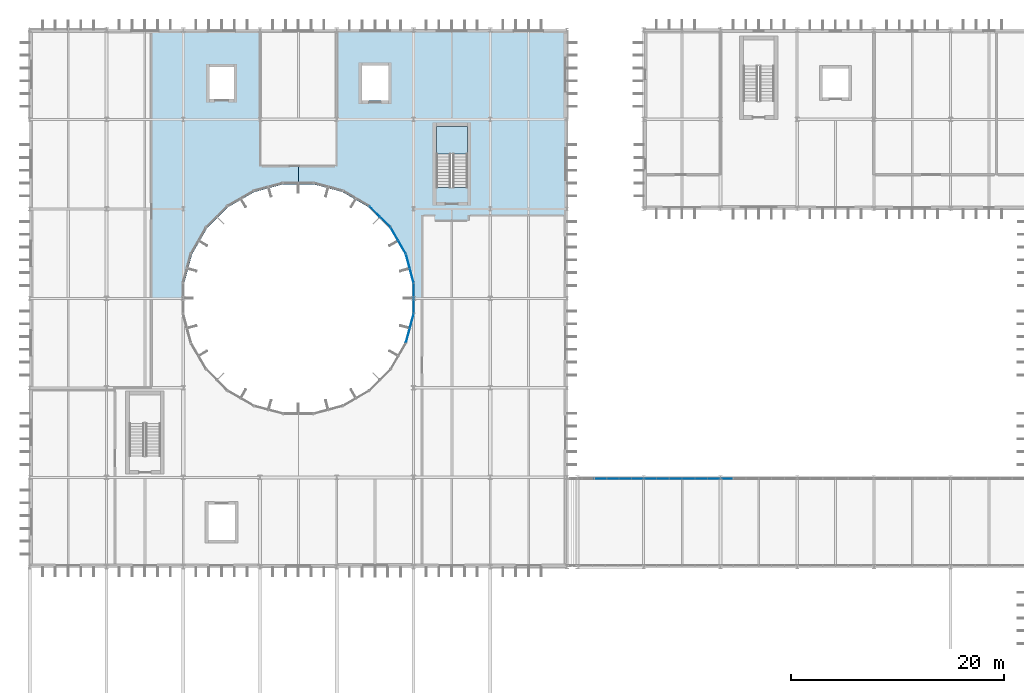
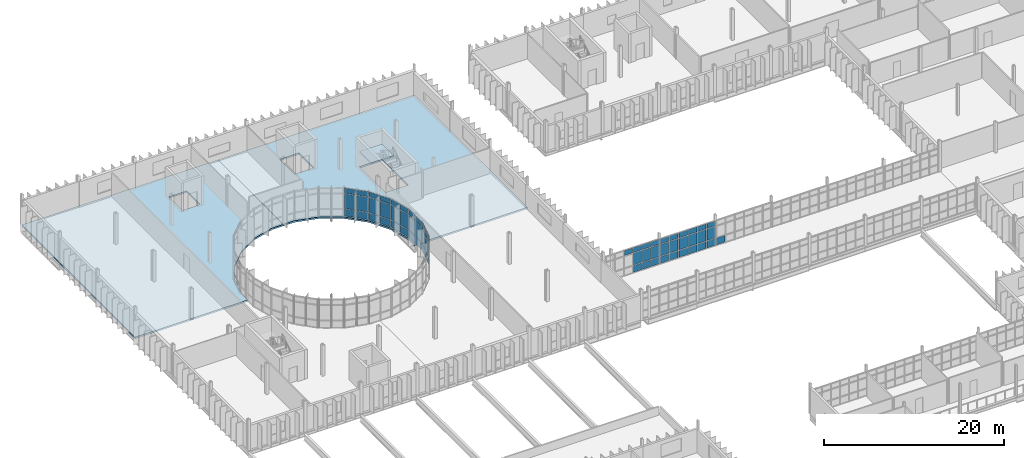
# One storey, part 75 of 119: 59 plates, 3 slabs, 9 elements without a shape of their own.
"""IFC4 building model written with IfcOpenShell, lengths in metres."""

from ifc_helpers import new_model, si_unit, direction, frame, origin, origin_2d, place, context, subcontext, project, spatial, polyline, rectangle, outline, extrude, material, layer, layer_set, type_object, element, aggregate, save


model = new_model("IFC4")

# Units and contexts
model_context = context("Model", 3, precision=1e-05, world=origin(), true_north=direction((0.0, 1.0)))
body_context = subcontext(model_context, "Body", "Model", "MODEL_VIEW")
ifc_project = project(units=[si_unit("LENGTHUNIT", "METRE"), si_unit("AREAUNIT", "SQUARE_METRE"), si_unit("VOLUMEUNIT", "CUBIC_METRE"), si_unit("PLANEANGLEUNIT", "RADIAN"), si_unit("MASSUNIT", "GRAM", prefix="KILO")], contexts=[model_context])

# Site, building, storey
site_placement = place(None, origin())
site = spatial("IfcSite", under=ifc_project, at=site_placement, CompositionType="ELEMENT")
building_placement = place(site_placement, origin())
building = spatial("IfcBuilding", under=site, at=building_placement, Name="Qelthora Terrace Specialist Clinic", CompositionType="ELEMENT")
storey_placement = place(building_placement, frame((0.0, 0.0, 4.800048828125)))
storey = spatial("IfcBuildingStorey", under=building, at=storey_placement, Name="L01", CompositionType="ELEMENT", Elevation=4.800048828125)

# Curtain wall, plates
ifc_material_1 = material(Name="Aluminium anodized bronze", Category="aluminium")
curtain_wall_type_1 = type_object("IfcCurtainWallType", Name="CW-CRTW-UPP", PredefinedType="NOTDEFINED", material=ifc_material_1)
curtain_wall_1_placement = place(storey_placement, origin())
curtain_wall_1 = element("IfcCurtainWall", 1, at=curtain_wall_1_placement, inside=storey, type_object=curtain_wall_type_1, Name="Curtain wall CW-CW-L01-01", PredefinedType="NOTDEFINED")
ifc_material_2 = material(Name="Low-E triple-silver insulating glass", Category="glass")
ifc_layer_1 = layer(ifc_material_2, 0.035888671875)
ifc_layer_set_1 = layer_set([ifc_layer_1], Name="Low-E triple-silver insulating glass")
plate_type = type_object("IfcPlateType", Name="CWP-IGU-36", PredefinedType="CURTAIN_PANEL", material=ifc_layer_set_1)
plate_1_placement = place(storey_placement, frame((35.841064453125, 86.12158203125, 0.0849609375), z_axis=(0.0, 0.0, 1.0), x_axis=(-0.258820730961, 0.965925374563, 0.0)))
plate_1 = element("IfcPlate", 2, at=plate_1_placement, type_object=plate_type, Name="CW-CW-L01-01 glazed panel 1", PredefinedType="CURTAIN_PANEL", context=body_context, shape_type="SweptSolid", body=[
    extrude(rectangle(XDim=1.3095703125, YDim=0.035888671875, at=origin_2d()), origin(), (0.0, 0.0, 1.0), 0.919921875),
])
plate_2_placement = place(storey_placement, frame((35.841064453125, 86.12158203125, 1.094970703125), z_axis=(0.0, 0.0, 1.0), x_axis=(-0.258820730961, 0.965925374563, 0.0)))
plate_2 = element("IfcPlate", 3, at=plate_2_placement, type_object=plate_type, Name="CW-CW-L01-01 glazed panel 2", PredefinedType="CURTAIN_PANEL", context=body_context, shape_type="SweptSolid", body=[
    extrude(rectangle(XDim=1.3095703125, YDim=0.035888671875, at=origin_2d()), origin(), (0.0, 0.0, 1.0), 2.0048828125),
])
plate_3_placement = place(storey_placement, frame((35.841064453125, 86.12158203125, 3.18994140625), z_axis=(0.0, 0.0, 1.0), x_axis=(-0.258820730961, 0.965925374563, 0.0)))
plate_3 = element("IfcPlate", 4, at=plate_3_placement, type_object=plate_type, Name="CW-CW-L01-01 glazed panel 3", PredefinedType="CURTAIN_PANEL", context=body_context, shape_type="SweptSolid", body=[
    extrude(rectangle(XDim=1.3095703125, YDim=0.035888671875, at=origin_2d()), origin(), (0.0, 0.0, 1.0), 0.669921875),
])
plate_4_placement = place(storey_placement, frame((35.476318359375, 87.483154296875, 0.0849609375), z_axis=(0.0, 0.0, 1.0), x_axis=(-0.258820730961, 0.965925374563, 0.0)))
plate_4 = element("IfcPlate", 5, at=plate_4_placement, type_object=plate_type, Name="CW-CW-L01-01 glazed panel 4", PredefinedType="CURTAIN_PANEL", context=body_context, shape_type="SweptSolid", body=[
    extrude(rectangle(XDim=1.3095703125, YDim=0.035888671875, at=origin_2d()), origin(), (0.0, 0.0, 1.0), 0.919921875),
])
plate_5_placement = place(storey_placement, frame((35.476318359375, 87.483154296875, 1.094970703125), z_axis=(0.0, 0.0, 1.0), x_axis=(-0.258820730961, 0.965925374563, 0.0)))
plate_5 = element("IfcPlate", 6, at=plate_5_placement, type_object=plate_type, Name="CW-CW-L01-01 glazed panel 5", PredefinedType="CURTAIN_PANEL", context=body_context, shape_type="SweptSolid", body=[
    extrude(rectangle(XDim=1.3095703125, YDim=0.035888671875, at=origin_2d()), origin(), (0.0, 0.0, 1.0), 2.0048828125),
])
plate_6_placement = place(storey_placement, frame((35.476318359375, 87.483154296875, 3.18994140625), z_axis=(0.0, 0.0, 1.0), x_axis=(-0.258820730961, 0.965925374563, 0.0)))
plate_6 = element("IfcPlate", 7, at=plate_6_placement, type_object=plate_type, Name="CW-CW-L01-01 glazed panel 6", PredefinedType="CURTAIN_PANEL", context=body_context, shape_type="SweptSolid", body=[
    extrude(rectangle(XDim=1.3095703125, YDim=0.035888671875, at=origin_2d()), origin(), (0.0, 0.0, 1.0), 0.669921875),
])
aggregate(curtain_wall_1, [plate_1, plate_2, plate_3, plate_4, plate_5, plate_6])

curtain_wall_2_placement = place(storey_placement, origin())
curtain_wall_2 = element("IfcCurtainWall", 8, at=curtain_wall_2_placement, inside=storey, type_object=curtain_wall_type_1, Name="Curtain wall CW-CW-L01-02", PredefinedType="NOTDEFINED")
plate_7_placement = place(storey_placement, frame((34.929443359375, 88.803466796875, 0.0849609375), z_axis=(0.0, 0.0, 1.0), x_axis=(-0.5, 0.866025403784, 0.0)))
plate_7 = element("IfcPlate", 9, at=plate_7_placement, type_object=plate_type, Name="CW-CW-L01-02 glazed panel 1", PredefinedType="CURTAIN_PANEL", context=body_context, shape_type="SweptSolid", body=[
    extrude(rectangle(XDim=1.3095703125, YDim=0.035888671875, at=origin_2d()), origin(), (0.0, 0.0, 1.0), 0.919921875),
])
plate_8_placement = place(storey_placement, frame((34.929443359375, 88.803466796875, 1.094970703125), z_axis=(0.0, 0.0, 1.0), x_axis=(-0.5, 0.866025403784, 0.0)))
plate_8 = element("IfcPlate", 10, at=plate_8_placement, type_object=plate_type, Name="CW-CW-L01-02 glazed panel 2", PredefinedType="CURTAIN_PANEL", context=body_context, shape_type="SweptSolid", body=[
    extrude(rectangle(XDim=1.3095703125, YDim=0.035888671875, at=origin_2d()), origin(), (0.0, 0.0, 1.0), 2.0048828125),
])
plate_9_placement = place(storey_placement, frame((34.929443359375, 88.803466796875, 3.18994140625), z_axis=(0.0, 0.0, 1.0), x_axis=(-0.5, 0.866025403784, 0.0)))
plate_9 = element("IfcPlate", 11, at=plate_9_placement, type_object=plate_type, Name="CW-CW-L01-02 glazed panel 3", PredefinedType="CURTAIN_PANEL", context=body_context, shape_type="SweptSolid", body=[
    extrude(rectangle(XDim=1.3095703125, YDim=0.035888671875, at=origin_2d()), origin(), (0.0, 0.0, 1.0), 0.669921875),
])
plate_10_placement = place(storey_placement, frame((34.224609375, 90.024169921875, 0.0849609375), z_axis=(0.0, 0.0, 1.0), x_axis=(-0.5, 0.866025403784, 0.0)))
plate_10 = element("IfcPlate", 12, at=plate_10_placement, type_object=plate_type, Name="CW-CW-L01-02 glazed panel 4", PredefinedType="CURTAIN_PANEL", context=body_context, shape_type="SweptSolid", body=[
    extrude(rectangle(XDim=1.3095703125, YDim=0.035888671875, at=origin_2d()), origin(), (0.0, 0.0, 1.0), 0.919921875),
])
plate_11_placement = place(storey_placement, frame((34.224609375, 90.024169921875, 1.094970703125), z_axis=(0.0, 0.0, 1.0), x_axis=(-0.5, 0.866025403784, 0.0)))
plate_11 = element("IfcPlate", 13, at=plate_11_placement, type_object=plate_type, Name="CW-CW-L01-02 glazed panel 5", PredefinedType="CURTAIN_PANEL", context=body_context, shape_type="SweptSolid", body=[
    extrude(rectangle(XDim=1.3095703125, YDim=0.035888671875, at=origin_2d()), origin(), (0.0, 0.0, 1.0), 2.0048828125),
])
plate_12_placement = place(storey_placement, frame((34.224609375, 90.024169921875, 3.18994140625), z_axis=(0.0, 0.0, 1.0), x_axis=(-0.5, 0.866025403784, 0.0)))
plate_12 = element("IfcPlate", 14, at=plate_12_placement, type_object=plate_type, Name="CW-CW-L01-02 glazed panel 6", PredefinedType="CURTAIN_PANEL", context=body_context, shape_type="SweptSolid", body=[
    extrude(rectangle(XDim=1.3095703125, YDim=0.035888671875, at=origin_2d()), origin(), (0.0, 0.0, 1.0), 0.669921875),
])
aggregate(curtain_wall_2, [plate_7, plate_8, plate_9, plate_10, plate_11, plate_12])

curtain_wall_3_placement = place(storey_placement, origin())
curtain_wall_3 = element("IfcCurtainWall", 15, at=curtain_wall_3_placement, inside=storey, type_object=curtain_wall_type_1, Name="Curtain wall CW-CW-L01-03", PredefinedType="NOTDEFINED")
plate_13_placement = place(storey_placement, frame((33.354736328125, 91.157958984375, 0.0849609375), z_axis=(0.0, 0.0, 1.0), x_axis=(-0.707106781187, 0.707106781187, 0.0)))
plate_13 = element("IfcPlate", 16, at=plate_13_placement, type_object=plate_type, Name="CW-CW-L01-03 glazed panel 1", PredefinedType="CURTAIN_PANEL", context=body_context, shape_type="SweptSolid", body=[
    extrude(rectangle(XDim=1.3095703125, YDim=0.035888671875, at=origin_2d()), origin(), (0.0, 0.0, 1.0), 0.919921875),
])
plate_14_placement = place(storey_placement, frame((33.354736328125, 91.157958984375, 1.094970703125), z_axis=(0.0, 0.0, 1.0), x_axis=(-0.707106781187, 0.707106781187, 0.0)))
plate_14 = element("IfcPlate", 17, at=plate_14_placement, type_object=plate_type, Name="CW-CW-L01-03 glazed panel 2", PredefinedType="CURTAIN_PANEL", context=body_context, shape_type="SweptSolid", body=[
    extrude(rectangle(XDim=1.3095703125, YDim=0.035888671875, at=origin_2d()), origin(), (0.0, 0.0, 1.0), 2.0048828125),
])
plate_15_placement = place(storey_placement, frame((33.354736328125, 91.157958984375, 3.18994140625), z_axis=(0.0, 0.0, 1.0), x_axis=(-0.707106781187, 0.707106781187, 0.0)))
plate_15 = element("IfcPlate", 18, at=plate_15_placement, type_object=plate_type, Name="CW-CW-L01-03 glazed panel 3", PredefinedType="CURTAIN_PANEL", context=body_context, shape_type="SweptSolid", body=[
    extrude(rectangle(XDim=1.3095703125, YDim=0.035888671875, at=origin_2d()), origin(), (0.0, 0.0, 1.0), 0.669921875),
])
plate_16_placement = place(storey_placement, frame((32.35791015625, 92.15478515625, 0.0849609375), z_axis=(0.0, 0.0, 1.0), x_axis=(-0.707106781187, 0.707106781187, 0.0)))
plate_16 = element("IfcPlate", 19, at=plate_16_placement, type_object=plate_type, Name="CW-CW-L01-03 glazed panel 4", PredefinedType="CURTAIN_PANEL", context=body_context, shape_type="SweptSolid", body=[
    extrude(rectangle(XDim=1.3095703125, YDim=0.035888671875, at=origin_2d()), origin(), (0.0, 0.0, 1.0), 0.919921875),
])
plate_17_placement = place(storey_placement, frame((32.35791015625, 92.15478515625, 1.094970703125), z_axis=(0.0, 0.0, 1.0), x_axis=(-0.707106781187, 0.707106781187, 0.0)))
plate_17 = element("IfcPlate", 20, at=plate_17_placement, type_object=plate_type, Name="CW-CW-L01-03 glazed panel 5", PredefinedType="CURTAIN_PANEL", context=body_context, shape_type="SweptSolid", body=[
    extrude(rectangle(XDim=1.3095703125, YDim=0.035888671875, at=origin_2d()), origin(), (0.0, 0.0, 1.0), 2.0048828125),
])
plate_18_placement = place(storey_placement, frame((32.35791015625, 92.15478515625, 3.18994140625), z_axis=(0.0, 0.0, 1.0), x_axis=(-0.707106781187, 0.707106781187, 0.0)))
plate_18 = element("IfcPlate", 21, at=plate_18_placement, type_object=plate_type, Name="CW-CW-L01-03 glazed panel 6", PredefinedType="CURTAIN_PANEL", context=body_context, shape_type="SweptSolid", body=[
    extrude(rectangle(XDim=1.3095703125, YDim=0.035888671875, at=origin_2d()), origin(), (0.0, 0.0, 1.0), 0.669921875),
])
aggregate(curtain_wall_3, [plate_13, plate_14, plate_15, plate_16, plate_17, plate_18])

curtain_wall_4_placement = place(storey_placement, origin())
curtain_wall_4 = element("IfcCurtainWall", 22, at=curtain_wall_4_placement, inside=storey, type_object=curtain_wall_type_1, Name="Curtain wall CW-CW-L01-23", PredefinedType="NOTDEFINED")
plate_19_placement = place(storey_placement, frame((35.476318359375, 80.516845703125, 0.0849609375), z_axis=(0.0, 0.0, 1.0), x_axis=(0.258820730961, 0.965925374563, 0.0)))
plate_19 = element("IfcPlate", 23, at=plate_19_placement, type_object=plate_type, Name="CW-CW-L01-23 glazed panel 1", PredefinedType="CURTAIN_PANEL", context=body_context, shape_type="SweptSolid", body=[
    extrude(rectangle(XDim=1.3095703125, YDim=0.035888671875, at=origin_2d()), origin(), (0.0, 0.0, 1.0), 0.919921875),
])
plate_20_placement = place(storey_placement, frame((35.476318359375, 80.516845703125, 1.094970703125), z_axis=(0.0, 0.0, 1.0), x_axis=(0.258820730961, 0.965925374563, 0.0)))
plate_20 = element("IfcPlate", 24, at=plate_20_placement, type_object=plate_type, Name="CW-CW-L01-23 glazed panel 2", PredefinedType="CURTAIN_PANEL", context=body_context, shape_type="SweptSolid", body=[
    extrude(rectangle(XDim=1.3095703125, YDim=0.035888671875, at=origin_2d()), origin(), (0.0, 0.0, 1.0), 2.0048828125),
])
plate_21_placement = place(storey_placement, frame((35.476318359375, 80.516845703125, 3.18994140625), z_axis=(0.0, 0.0, 1.0), x_axis=(0.258820730961, 0.965925374563, 0.0)))
plate_21 = element("IfcPlate", 25, at=plate_21_placement, type_object=plate_type, Name="CW-CW-L01-23 glazed panel 3", PredefinedType="CURTAIN_PANEL", context=body_context, shape_type="SweptSolid", body=[
    extrude(rectangle(XDim=1.3095703125, YDim=0.035888671875, at=origin_2d()), origin(), (0.0, 0.0, 1.0), 0.669921875),
])
plate_22_placement = place(storey_placement, frame((35.841064453125, 81.87841796875, 0.0849609375), z_axis=(0.0, 0.0, 1.0), x_axis=(0.258820730961, 0.965925374563, 0.0)))
plate_22 = element("IfcPlate", 26, at=plate_22_placement, type_object=plate_type, Name="CW-CW-L01-23 glazed panel 4", PredefinedType="CURTAIN_PANEL", context=body_context, shape_type="SweptSolid", body=[
    extrude(rectangle(XDim=1.3095703125, YDim=0.035888671875, at=origin_2d()), origin(), (0.0, 0.0, 1.0), 0.919921875),
])
plate_23_placement = place(storey_placement, frame((35.841064453125, 81.87841796875, 1.094970703125), z_axis=(0.0, 0.0, 1.0), x_axis=(0.258820730961, 0.965925374563, 0.0)))
plate_23 = element("IfcPlate", 27, at=plate_23_placement, type_object=plate_type, Name="CW-CW-L01-23 glazed panel 5", PredefinedType="CURTAIN_PANEL", context=body_context, shape_type="SweptSolid", body=[
    extrude(rectangle(XDim=1.3095703125, YDim=0.035888671875, at=origin_2d()), origin(), (0.0, 0.0, 1.0), 2.0048828125),
])
plate_24_placement = place(storey_placement, frame((35.841064453125, 81.87841796875, 3.18994140625), z_axis=(0.0, 0.0, 1.0), x_axis=(0.258820730961, 0.965925374563, 0.0)))
plate_24 = element("IfcPlate", 28, at=plate_24_placement, type_object=plate_type, Name="CW-CW-L01-23 glazed panel 6", PredefinedType="CURTAIN_PANEL", context=body_context, shape_type="SweptSolid", body=[
    extrude(rectangle(XDim=1.3095703125, YDim=0.035888671875, at=origin_2d()), origin(), (0.0, 0.0, 1.0), 0.669921875),
])
aggregate(curtain_wall_4, [plate_19, plate_20, plate_21, plate_22, plate_23, plate_24])

curtain_wall_5_placement = place(storey_placement, origin())
curtain_wall_5 = element("IfcCurtainWall", 29, at=curtain_wall_5_placement, inside=storey, type_object=curtain_wall_type_1, Name="Curtain wall CW-CW-L01-24", PredefinedType="NOTDEFINED")
plate_25_placement = place(storey_placement, frame((36.027587890625, 83.295166015625, 0.0849609375), z_axis=(0.0, 0.0, 1.0), x_axis=(0.0, 1.0, 0.0)))
plate_25 = element("IfcPlate", 30, at=plate_25_placement, type_object=plate_type, Name="CW-CW-L01-24 glazed panel 1", PredefinedType="CURTAIN_PANEL", context=body_context, shape_type="SweptSolid", body=[
    extrude(rectangle(XDim=1.3095703125, YDim=0.035888671875, at=origin_2d()), origin(), (0.0, 0.0, 1.0), 0.919921875),
])
plate_26_placement = place(storey_placement, frame((36.027587890625, 83.295166015625, 1.094970703125), z_axis=(0.0, 0.0, 1.0), x_axis=(0.0, 1.0, 0.0)))
plate_26 = element("IfcPlate", 31, at=plate_26_placement, type_object=plate_type, Name="CW-CW-L01-24 glazed panel 2", PredefinedType="CURTAIN_PANEL", context=body_context, shape_type="SweptSolid", body=[
    extrude(rectangle(XDim=1.3095703125, YDim=0.035888671875, at=origin_2d()), origin(), (0.0, 0.0, 1.0), 2.0048828125),
])
plate_27_placement = place(storey_placement, frame((36.027587890625, 83.295166015625, 3.18994140625), z_axis=(0.0, 0.0, 1.0), x_axis=(0.0, 1.0, 0.0)))
plate_27 = element("IfcPlate", 32, at=plate_27_placement, type_object=plate_type, Name="CW-CW-L01-24 glazed panel 3", PredefinedType="CURTAIN_PANEL", context=body_context, shape_type="SweptSolid", body=[
    extrude(rectangle(XDim=1.3095703125, YDim=0.035888671875, at=origin_2d()), origin(), (0.0, 0.0, 1.0), 0.669921875),
])
plate_28_placement = place(storey_placement, frame((36.027587890625, 84.704833984375, 0.0849609375), z_axis=(0.0, 0.0, 1.0), x_axis=(0.0, 1.0, 0.0)))
plate_28 = element("IfcPlate", 33, at=plate_28_placement, type_object=plate_type, Name="CW-CW-L01-24 glazed panel 4", PredefinedType="CURTAIN_PANEL", context=body_context, shape_type="SweptSolid", body=[
    extrude(rectangle(XDim=1.3095703125, YDim=0.035888671875, at=origin_2d()), origin(), (0.0, 0.0, 1.0), 0.919921875),
])
plate_29_placement = place(storey_placement, frame((36.027587890625, 84.704833984375, 1.094970703125), z_axis=(0.0, 0.0, 1.0), x_axis=(0.0, 1.0, 0.0)))
plate_29 = element("IfcPlate", 34, at=plate_29_placement, type_object=plate_type, Name="CW-CW-L01-24 glazed panel 5", PredefinedType="CURTAIN_PANEL", context=body_context, shape_type="SweptSolid", body=[
    extrude(rectangle(XDim=1.3095703125, YDim=0.035888671875, at=origin_2d()), origin(), (0.0, 0.0, 1.0), 2.0048828125),
])
plate_30_placement = place(storey_placement, frame((36.027587890625, 84.704833984375, 3.18994140625), z_axis=(0.0, 0.0, 1.0), x_axis=(0.0, 1.0, 0.0)))
plate_30 = element("IfcPlate", 35, at=plate_30_placement, type_object=plate_type, Name="CW-CW-L01-24 glazed panel 6", PredefinedType="CURTAIN_PANEL", context=body_context, shape_type="SweptSolid", body=[
    extrude(rectangle(XDim=1.3095703125, YDim=0.035888671875, at=origin_2d()), origin(), (0.0, 0.0, 1.0), 0.669921875),
])
aggregate(curtain_wall_5, [plate_25, plate_26, plate_27, plate_28, plate_29, plate_30])

curtain_wall_type_2 = type_object("IfcCurtainWallType", Name="CW-BRG-L01", PredefinedType="NOTDEFINED", material=ifc_material_1)
curtain_wall_6_placement = place(storey_placement, origin())
curtain_wall_6 = element("IfcCurtainWall", 36, at=curtain_wall_6_placement, inside=storey, type_object=curtain_wall_type_2, Name="Curtain wall CW-L01-234", PredefinedType="NOTDEFINED")
plate_31_placement = place(storey_placement, frame((53.5517578125, 67.080078125, 2.77392578125), z_axis=(0.0, 0.0, 1.0), x_axis=(1.0, 0.0, 0.0)))
plate_31 = element("IfcPlate", 37, at=plate_31_placement, type_object=plate_type, Name="CW-L01-234 glazed panel 9", PredefinedType="CURTAIN_PANEL", context=body_context, shape_type="SweptSolid", body=[
    extrude(rectangle(XDim=1.056640625, YDim=0.035888671875, at=origin_2d()), origin(), (0.0, 0.0, 1.0), 0.669921875),
])
plate_32_placement = place(storey_placement, frame((54.708251953125, 67.080078125, 0.0849609375), z_axis=(0.0, 0.0, 1.0), x_axis=(1.0, 0.0, 0.0)))
plate_32 = element("IfcPlate", 38, at=plate_32_placement, type_object=plate_type, Name="CW-L01-234 glazed panel 10", PredefinedType="CURTAIN_PANEL", context=body_context, shape_type="SweptSolid", body=[
    extrude(rectangle(XDim=1.056640625, YDim=0.035888671875, at=origin_2d()), origin(), (0.0, 0.0, 1.0), 0.919921875),
])
plate_33_placement = place(storey_placement, frame((54.708251953125, 67.080078125, 1.0947265625), z_axis=(0.0, 0.0, 1.0), x_axis=(1.0, 0.0, 0.0)))
plate_33 = element("IfcPlate", 39, at=plate_33_placement, type_object=plate_type, Name="CW-L01-234 glazed panel 11", PredefinedType="CURTAIN_PANEL", context=body_context, shape_type="SweptSolid", body=[
    extrude(rectangle(XDim=1.056640625, YDim=0.035888671875, at=origin_2d()), origin(), (0.0, 0.0, 1.0), 1.589111328125),
])
plate_34_placement = place(storey_placement, frame((54.708251953125, 67.080078125, 2.77392578125), z_axis=(0.0, 0.0, 1.0), x_axis=(1.0, 0.0, 0.0)))
plate_34 = element("IfcPlate", 40, at=plate_34_placement, type_object=plate_type, Name="CW-L01-234 glazed panel 12", PredefinedType="CURTAIN_PANEL", context=body_context, shape_type="SweptSolid", body=[
    extrude(rectangle(XDim=1.056640625, YDim=0.035888671875, at=origin_2d()), origin(), (0.0, 0.0, 1.0), 0.669921875),
])
plate_35_placement = place(storey_placement, frame((55.864990234375, 67.080078125, 0.0849609375), z_axis=(0.0, 0.0, 1.0), x_axis=(1.0, 0.0, 0.0)))
plate_35 = element("IfcPlate", 41, at=plate_35_placement, type_object=plate_type, Name="CW-L01-234 glazed panel 13", PredefinedType="CURTAIN_PANEL", context=body_context, shape_type="SweptSolid", body=[
    extrude(rectangle(XDim=1.056640625, YDim=0.035888671875, at=origin_2d()), origin(), (0.0, 0.0, 1.0), 0.919921875),
])
plate_36_placement = place(storey_placement, frame((55.864990234375, 67.080078125, 1.0947265625), z_axis=(0.0, 0.0, 1.0), x_axis=(1.0, 0.0, 0.0)))
plate_36 = element("IfcPlate", 42, at=plate_36_placement, type_object=plate_type, Name="CW-L01-234 glazed panel 14", PredefinedType="CURTAIN_PANEL", context=body_context, shape_type="SweptSolid", body=[
    extrude(rectangle(XDim=1.056640625, YDim=0.035888671875, at=origin_2d()), origin(), (0.0, 0.0, 1.0), 1.589111328125),
])
plate_37_placement = place(storey_placement, frame((55.864990234375, 67.080078125, 2.77392578125), z_axis=(0.0, 0.0, 1.0), x_axis=(1.0, 0.0, 0.0)))
plate_37 = element("IfcPlate", 43, at=plate_37_placement, type_object=plate_type, Name="CW-L01-234 glazed panel 15", PredefinedType="CURTAIN_PANEL", context=body_context, shape_type="SweptSolid", body=[
    extrude(rectangle(XDim=1.056640625, YDim=0.035888671875, at=origin_2d()), origin(), (0.0, 0.0, 1.0), 0.669921875),
])
plate_38_placement = place(storey_placement, frame((57.021728515625, 67.080078125, 0.0849609375), z_axis=(0.0, 0.0, 1.0), x_axis=(1.0, 0.0, 0.0)))
plate_38 = element("IfcPlate", 44, at=plate_38_placement, type_object=plate_type, Name="CW-L01-234 glazed panel 16", PredefinedType="CURTAIN_PANEL", context=body_context, shape_type="SweptSolid", body=[
    extrude(rectangle(XDim=1.056640625, YDim=0.035888671875, at=origin_2d()), origin(), (0.0, 0.0, 1.0), 0.919921875),
])
plate_39_placement = place(storey_placement, frame((57.021728515625, 67.080078125, 1.0947265625), z_axis=(0.0, 0.0, 1.0), x_axis=(1.0, 0.0, 0.0)))
plate_39 = element("IfcPlate", 45, at=plate_39_placement, type_object=plate_type, Name="CW-L01-234 glazed panel 17", PredefinedType="CURTAIN_PANEL", context=body_context, shape_type="SweptSolid", body=[
    extrude(rectangle(XDim=1.056640625, YDim=0.035888671875, at=origin_2d()), origin(), (0.0, 0.0, 1.0), 1.589111328125),
])
plate_40_placement = place(storey_placement, frame((57.021728515625, 67.080078125, 2.77392578125), z_axis=(0.0, 0.0, 1.0), x_axis=(1.0, 0.0, 0.0)))
plate_40 = element("IfcPlate", 46, at=plate_40_placement, type_object=plate_type, Name="CW-L01-234 glazed panel 18", PredefinedType="CURTAIN_PANEL", context=body_context, shape_type="SweptSolid", body=[
    extrude(rectangle(XDim=1.056640625, YDim=0.035888671875, at=origin_2d()), origin(), (0.0, 0.0, 1.0), 0.669921875),
])
aggregate(curtain_wall_6, [plate_31, plate_32, plate_33, plate_34, plate_35, plate_36, plate_37, plate_38, plate_39, plate_40])

curtain_wall_7_placement = place(storey_placement, origin())
curtain_wall_7 = element("IfcCurtainWall", 47, at=curtain_wall_7_placement, inside=storey, type_object=curtain_wall_type_2, Name="Curtain wall CW-L01-235", PredefinedType="NOTDEFINED")
plate_41_placement = place(storey_placement, frame((58.199951171875, 67.080078125, 0.0849609375), z_axis=(0.0, 0.0, 1.0), x_axis=(1.0, 0.0, 0.0)))
plate_41 = element("IfcPlate", 48, at=plate_41_placement, type_object=plate_type, Name="CW-L01-235 glazed panel 1", PredefinedType="CURTAIN_PANEL", context=body_context, shape_type="SweptSolid", body=[
    extrude(rectangle(XDim=1.10009765625, YDim=0.035888671875, at=origin_2d()), origin(), (0.0, 0.0, 1.0), 0.919921875),
])
plate_42_placement = place(storey_placement, frame((58.199951171875, 67.080078125, 1.094970703125), z_axis=(0.0, 0.0, 1.0), x_axis=(1.0, 0.0, 0.0)))
plate_42 = element("IfcPlate", 49, at=plate_42_placement, type_object=plate_type, Name="CW-L01-235 glazed panel 2", PredefinedType="CURTAIN_PANEL", context=body_context, shape_type="SweptSolid", body=[
    extrude(rectangle(XDim=1.10009765625, YDim=0.035888671875, at=origin_2d()), origin(), (0.0, 0.0, 1.0), 1.5419921875),
])
plate_43_placement = place(storey_placement, frame((58.199951171875, 67.080078125, 2.72705078125), z_axis=(0.0, 0.0, 1.0), x_axis=(1.0, 0.0, 0.0)))
plate_43 = element("IfcPlate", 50, at=plate_43_placement, type_object=plate_type, Name="CW-L01-235 glazed panel 3", PredefinedType="CURTAIN_PANEL", context=body_context, shape_type="SweptSolid", body=[
    extrude(rectangle(XDim=1.10009765625, YDim=0.035888671875, at=origin_2d()), origin(), (0.0, 0.0, 1.0), 0.669921875),
])
plate_44_placement = place(storey_placement, frame((59.39990234375, 67.080078125, 0.0849609375), z_axis=(0.0, 0.0, 1.0), x_axis=(1.0, 0.0, 0.0)))
plate_44 = element("IfcPlate", 51, at=plate_44_placement, type_object=plate_type, Name="CW-L01-235 glazed panel 4", PredefinedType="CURTAIN_PANEL", context=body_context, shape_type="SweptSolid", body=[
    extrude(rectangle(XDim=1.10009765625, YDim=0.035888671875, at=origin_2d()), origin(), (0.0, 0.0, 1.0), 0.919921875),
])
plate_45_placement = place(storey_placement, frame((59.39990234375, 67.080078125, 1.094970703125), z_axis=(0.0, 0.0, 1.0), x_axis=(1.0, 0.0, 0.0)))
plate_45 = element("IfcPlate", 52, at=plate_45_placement, type_object=plate_type, Name="CW-L01-235 glazed panel 5", PredefinedType="CURTAIN_PANEL", context=body_context, shape_type="SweptSolid", body=[
    extrude(rectangle(XDim=1.10009765625, YDim=0.035888671875, at=origin_2d()), origin(), (0.0, 0.0, 1.0), 1.5419921875),
])
plate_46_placement = place(storey_placement, frame((59.39990234375, 67.080078125, 2.72705078125), z_axis=(0.0, 0.0, 1.0), x_axis=(1.0, 0.0, 0.0)))
plate_46 = element("IfcPlate", 53, at=plate_46_placement, type_object=plate_type, Name="CW-L01-235 glazed panel 6", PredefinedType="CURTAIN_PANEL", context=body_context, shape_type="SweptSolid", body=[
    extrude(rectangle(XDim=1.10009765625, YDim=0.035888671875, at=origin_2d()), origin(), (0.0, 0.0, 1.0), 0.669921875),
])
plate_47_placement = place(storey_placement, frame((60.60009765625, 67.080078125, 0.0849609375), z_axis=(0.0, 0.0, 1.0), x_axis=(1.0, 0.0, 0.0)))
plate_47 = element("IfcPlate", 54, at=plate_47_placement, type_object=plate_type, Name="CW-L01-235 glazed panel 7", PredefinedType="CURTAIN_PANEL", context=body_context, shape_type="SweptSolid", body=[
    extrude(rectangle(XDim=1.10009765625, YDim=0.035888671875, at=origin_2d()), origin(), (0.0, 0.0, 1.0), 0.919921875),
])
plate_48_placement = place(storey_placement, frame((60.60009765625, 67.080078125, 1.094970703125), z_axis=(0.0, 0.0, 1.0), x_axis=(1.0, 0.0, 0.0)))
plate_48 = element("IfcPlate", 55, at=plate_48_placement, type_object=plate_type, Name="CW-L01-235 glazed panel 8", PredefinedType="CURTAIN_PANEL", context=body_context, shape_type="SweptSolid", body=[
    extrude(rectangle(XDim=1.10009765625, YDim=0.035888671875, at=origin_2d()), origin(), (0.0, 0.0, 1.0), 1.5419921875),
])
plate_49_placement = place(storey_placement, frame((60.60009765625, 67.080078125, 2.72705078125), z_axis=(0.0, 0.0, 1.0), x_axis=(1.0, 0.0, 0.0)))
plate_49 = element("IfcPlate", 56, at=plate_49_placement, type_object=plate_type, Name="CW-L01-235 glazed panel 9", PredefinedType="CURTAIN_PANEL", context=body_context, shape_type="SweptSolid", body=[
    extrude(rectangle(XDim=1.10009765625, YDim=0.035888671875, at=origin_2d()), origin(), (0.0, 0.0, 1.0), 0.669921875),
])
plate_50_placement = place(storey_placement, frame((61.800048828125, 67.080078125, 0.0849609375), z_axis=(0.0, 0.0, 1.0), x_axis=(1.0, 0.0, 0.0)))
plate_50 = element("IfcPlate", 57, at=plate_50_placement, type_object=plate_type, Name="CW-L01-235 glazed panel 10", PredefinedType="CURTAIN_PANEL", context=body_context, shape_type="SweptSolid", body=[
    extrude(rectangle(XDim=1.10009765625, YDim=0.035888671875, at=origin_2d()), origin(), (0.0, 0.0, 1.0), 0.919921875),
])
plate_51_placement = place(storey_placement, frame((61.800048828125, 67.080078125, 1.094970703125), z_axis=(0.0, 0.0, 1.0), x_axis=(1.0, 0.0, 0.0)))
plate_51 = element("IfcPlate", 58, at=plate_51_placement, type_object=plate_type, Name="CW-L01-235 glazed panel 11", PredefinedType="CURTAIN_PANEL", context=body_context, shape_type="SweptSolid", body=[
    extrude(rectangle(XDim=1.10009765625, YDim=0.035888671875, at=origin_2d()), origin(), (0.0, 0.0, 1.0), 1.5419921875),
])
plate_52_placement = place(storey_placement, frame((61.800048828125, 67.080078125, 2.72705078125), z_axis=(0.0, 0.0, 1.0), x_axis=(1.0, 0.0, 0.0)))
plate_52 = element("IfcPlate", 59, at=plate_52_placement, type_object=plate_type, Name="CW-L01-235 glazed panel 12", PredefinedType="CURTAIN_PANEL", context=body_context, shape_type="SweptSolid", body=[
    extrude(rectangle(XDim=1.10009765625, YDim=0.035888671875, at=origin_2d()), origin(), (0.0, 0.0, 1.0), 0.669921875),
])
plate_53_placement = place(storey_placement, frame((63.0, 67.080078125, 0.0849609375), z_axis=(0.0, 0.0, 1.0), x_axis=(1.0, 0.0, 0.0)))
plate_53 = element("IfcPlate", 60, at=plate_53_placement, type_object=plate_type, Name="CW-L01-235 glazed panel 13", PredefinedType="CURTAIN_PANEL", context=body_context, shape_type="SweptSolid", body=[
    extrude(rectangle(XDim=1.10009765625, YDim=0.035888671875, at=origin_2d()), origin(), (0.0, 0.0, 1.0), 0.919921875),
])
plate_54_placement = place(storey_placement, frame((63.0, 67.080078125, 1.094970703125), z_axis=(0.0, 0.0, 1.0), x_axis=(1.0, 0.0, 0.0)))
plate_54 = element("IfcPlate", 61, at=plate_54_placement, type_object=plate_type, Name="CW-L01-235 glazed panel 14", PredefinedType="CURTAIN_PANEL", context=body_context, shape_type="SweptSolid", body=[
    extrude(rectangle(XDim=1.10009765625, YDim=0.035888671875, at=origin_2d()), origin(), (0.0, 0.0, 1.0), 1.5419921875),
])
plate_55_placement = place(storey_placement, frame((63.0, 67.080078125, 2.72705078125), z_axis=(0.0, 0.0, 1.0), x_axis=(1.0, 0.0, 0.0)))
plate_55 = element("IfcPlate", 62, at=plate_55_placement, type_object=plate_type, Name="CW-L01-235 glazed panel 15", PredefinedType="CURTAIN_PANEL", context=body_context, shape_type="SweptSolid", body=[
    extrude(rectangle(XDim=1.10009765625, YDim=0.035888671875, at=origin_2d()), origin(), (0.0, 0.0, 1.0), 0.669921875),
])
plate_56_placement = place(storey_placement, frame((64.199951171875, 67.080078125, 0.0849609375), z_axis=(0.0, 0.0, 1.0), x_axis=(1.0, 0.0, 0.0)))
plate_56 = element("IfcPlate", 63, at=plate_56_placement, type_object=plate_type, Name="CW-L01-235 glazed panel 16", PredefinedType="CURTAIN_PANEL", context=body_context, shape_type="SweptSolid", body=[
    extrude(rectangle(XDim=1.10009765625, YDim=0.035888671875, at=origin_2d()), origin(), (0.0, 0.0, 1.0), 0.919921875),
])
plate_57_placement = place(storey_placement, frame((64.199951171875, 67.080078125, 1.094970703125), z_axis=(0.0, 0.0, 1.0), x_axis=(1.0, 0.0, 0.0)))
plate_57 = element("IfcPlate", 64, at=plate_57_placement, type_object=plate_type, Name="CW-L01-235 glazed panel 17", PredefinedType="CURTAIN_PANEL", context=body_context, shape_type="SweptSolid", body=[
    extrude(rectangle(XDim=1.10009765625, YDim=0.035888671875, at=origin_2d()), origin(), (0.0, 0.0, 1.0), 1.5419921875),
])
plate_58_placement = place(storey_placement, frame((64.199951171875, 67.080078125, 2.72705078125), z_axis=(0.0, 0.0, 1.0), x_axis=(1.0, 0.0, 0.0)))
plate_58 = element("IfcPlate", 65, at=plate_58_placement, type_object=plate_type, Name="CW-L01-235 glazed panel 18", PredefinedType="CURTAIN_PANEL", context=body_context, shape_type="SweptSolid", body=[
    extrude(rectangle(XDim=1.10009765625, YDim=0.035888671875, at=origin_2d()), origin(), (0.0, 0.0, 1.0), 0.669921875),
])
aggregate(curtain_wall_7, [plate_41, plate_42, plate_43, plate_44, plate_45, plate_46, plate_47, plate_48, plate_49, plate_50, plate_51, plate_52, plate_53, plate_54, plate_55, plate_56, plate_57, plate_58])

# Curtain wall, plate
curtain_wall_8_placement = place(storey_placement, origin())
curtain_wall_8 = element("IfcCurtainWall", 66, at=curtain_wall_8_placement, inside=storey, type_object=curtain_wall_type_2, Name="Curtain wall CW-L01-236", PredefinedType="NOTDEFINED")
plate_59_placement = place(storey_placement, frame((65.39990234375, 67.080078125, 0.0849609375), z_axis=(0.0, 0.0, 1.0), x_axis=(1.0, 0.0, 0.0)))
plate_59 = element("IfcPlate", 67, at=plate_59_placement, type_object=plate_type, Name="CW-L01-236 glazed panel 1", PredefinedType="CURTAIN_PANEL", context=body_context, shape_type="SweptSolid", body=[
    extrude(rectangle(XDim=1.10009765625, YDim=0.035888671875, at=origin_2d()), origin(), (0.0, 0.0, 1.0), 0.919921875),
])
aggregate(curtain_wall_8, [plate_59])

# Slabs
ifc_material_3 = material(Name="Concrete C30/37", Category="concrete")
ifc_layer_2 = layer(ifc_material_3, 0.219970703125)
ifc_layer_set_2 = layer_set([ifc_layer_2], Name="Concrete C30/37")
slab_type_1 = type_object("IfcSlabType", Name="SLB-FLR-220-C30", PredefinedType="FLOOR", material=ifc_layer_set_2)
slab_1_placement = place(storey_placement, frame((0.0, 0.0, -0.219970703125)))
element("IfcSlab", 68, at=slab_1_placement, inside=storey, type_object=slab_type_1, Name="L01 V5 slab SLB-L01-V5-2A", PredefinedType="FLOOR", context=body_context, shape_type="SweptSolid", body=[
    extrude(outline(polyline([(0.0, 109.199951171875), (25.199951171875, 109.199951171875), (25.199951171875, 94.70751953125), (23.790283203125, 94.70751953125), (21.067138671875, 93.977783203125), (18.62548828125, 92.568115234375), (16.6318359375, 90.57470703125), (15.22216796875, 88.133056640625), (14.492431640625, 85.40966796875), (14.492431640625, 84.0), (0.0, 84.0), (0.0, 109.199951171875)]), holes=[polyline([(19.14990234375, 102.699951171875), (19.14990234375, 105.699951171875), (16.85009765625, 105.699951171875), (16.85009765625, 102.699951171875), (19.14990234375, 102.699951171875)])]), origin(), (0.0, 0.0, 1.0), 0.219970703125),
])
slab_2_placement = place(storey_placement, frame((0.0, 0.0, -0.219970703125)))
element("IfcSlab", 69, at=slab_2_placement, inside=storey, type_object=slab_type_1, Name="L01 V5 slab SLB-L01-V5-3A", PredefinedType="FLOOR", context=body_context, shape_type="SweptSolid", body=[
    extrude(outline(polyline([(50.39990234375, 109.199951171875), (50.39990234375, 84.0), (35.90771484375, 84.0), (35.90771484375, 85.40966796875), (35.177978515625, 88.133056640625), (33.768310546875, 90.57470703125), (31.774658203125, 92.568115234375), (29.3330078125, 93.977783203125), (26.609619140625, 94.70751953125), (25.199951171875, 94.70751953125), (25.199951171875, 109.199951171875), (50.39990234375, 109.199951171875)]), holes=[polyline([(41.050048828125, 94.400634765625), (41.050048828125, 100.14990234375), (38.14990234375, 100.14990234375), (38.14990234375, 94.400634765625), (41.050048828125, 94.400634765625)]), polyline([(33.64990234375, 102.550048828125), (33.64990234375, 105.85009765625), (31.14990234375, 105.85009765625), (31.14990234375, 102.550048828125), (33.64990234375, 102.550048828125)])]), origin(), (0.0, 0.0, 1.0), 0.219970703125),
])

# Stair, slab
stair_type = type_object("IfcStairType", Name="STR-175-285", PredefinedType="HALF_TURN_STAIR", material=ifc_material_3)
stair_placement = place(storey_placement, origin())
stair = element("IfcStair", 70, at=stair_placement, inside=storey, type_object=stair_type, Name="L01 Enclosed Exit Stair ST-02", PredefinedType="HALF_TURN_STAIR")
ifc_layer_3 = layer(ifc_material_3, 0.199951171875)
ifc_layer_set_3 = layer_set([ifc_layer_3], Name="Concrete C30/37")
slab_type_2 = type_object("IfcSlabType", Name="SLB-LAND-200-C30", PredefinedType="LANDING", material=ifc_layer_set_3)
slab_3_placement = place(storey_placement, frame((0.0, 0.0, 1.89990234375)))
slab_3 = element("IfcSlab", 71, at=slab_3_placement, type_object=slab_type_2, Name="ST-02 landing 1", PredefinedType="LANDING", context=body_context, shape_type="SweptSolid", body=[
    extrude(outline(polyline([(41.050048828125, 97.534912109375), (41.050048828125, 100.14990234375), (38.14990234375, 100.14990234375), (38.14990234375, 97.534912109375), (41.050048828125, 97.534912109375)])), origin(), (0.0, 0.0, 1.0), 0.199951171875),
])
aggregate(stair, [slab_3])

save(model, "model.ifc")
